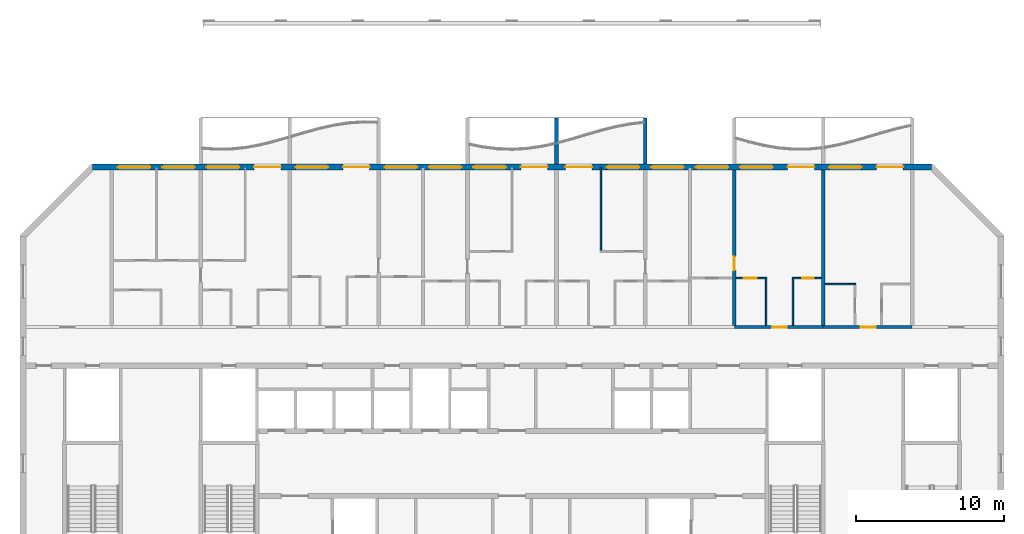
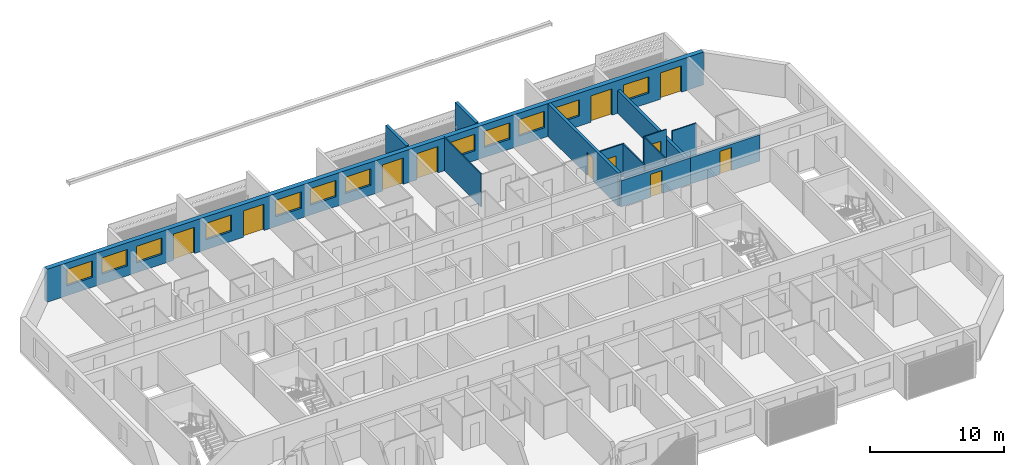
# One storey, part 12 of 20: 13 walls, 12 windows, 11 doors, 23 openings.
"""IFC4 building model written with IfcOpenShell, lengths in metres."""

from ifc_helpers import new_model, si_unit, direction, frame, frame_2d, origin, place, context, subcontext, project, spatial, polyline, rectangle, outline, extrude, source, transform, mapped, material, layer, layer_set, type_object, element, fill, save


model = new_model("IFC4")

# Units and contexts
model_context = context("Model", 3, precision=1e-05, world=origin(), true_north=direction((0.0, 1.0)))
body_context = subcontext(model_context, "Body", "Model", "MODEL_VIEW")
ifc_project = project(units=[si_unit("LENGTHUNIT", "METRE"), si_unit("AREAUNIT", "SQUARE_METRE"), si_unit("VOLUMEUNIT", "CUBIC_METRE"), si_unit("PLANEANGLEUNIT", "RADIAN"), si_unit("MASSUNIT", "GRAM", prefix="KILO")], contexts=[model_context])

# Site, building, storey
site_placement = place(None, origin())
site = spatial("IfcSite", under=ifc_project, at=site_placement, CompositionType="ELEMENT")
building_placement = place(site_placement, origin())
building = spatial("IfcBuilding", under=site, at=building_placement, Name="Poui Terraces", CompositionType="ELEMENT")
storey_placement = place(building_placement, frame((0.0, 0.0, 257.699951171875)))
storey = spatial("IfcBuildingStorey", under=building, at=storey_placement, Name="L72", CompositionType="ELEMENT", Elevation=257.699951171875)

# Wall, opening, door
ifc_material_1 = material(Name="Concrete 50 MPa", Category="concrete")
ifc_layer_1 = layer(ifc_material_1, 0.199951171875)
ifc_layer_set_1 = layer_set([ifc_layer_1], Name="Concrete 50 MPa")
wall_type_1 = type_object("IfcWallType", Name="CORRIDOR WALL 200 50MPa", PredefinedType="SHEAR", material=ifc_layer_set_1)
wall_1_placement = place(storey_placement, frame((66.0, 30.39990234375, 0.0), z_axis=(0.0, 0.0, 1.0), x_axis=(1.0, 0.0, 0.0)))
wall_1 = element("IfcWall", 1, at=wall_1_placement, inside=storey, type_object=wall_type_1, Name="CORRIDOR WALL LINE E BAY 9", PredefinedType="SHEAR", context=body_context, shape_type="SweptSolid", body=[
    extrude(rectangle(XDim=6.0, YDim=0.199951171875, at=frame_2d((3.0, 0.0))), origin(), (0.0, 0.0, 1.0), 2.400146484375),
])
opening_1_placement = place(wall_1_placement, frame((2.550048828125, 0.0, 0.0)))
opening_1 = element("IfcOpeningElement", 2, at=opening_1_placement, cuts=wall_1, Name="Opening FD30S", PredefinedType="OPENING", context=body_context, shape_type="SweptSolid", body=[
    extrude(rectangle(XDim=1.0, YDim=2.10009765625, at=frame_2d((0.5, 1.050048828125))), frame((0.0, 0.10986328125, 0.0), z_axis=(0.0, -1.0, 0.0), x_axis=(1.0, 0.0, 0.0)), (0.0, 0.0, 1.0), 0.219970703125),
])
ifc_material_2 = material(Name="Steel fire door", Category="steel")
door_type_1 = type_object("IfcDoorType", Name="FLAT ENTRANCE DOOR 1000 X 2100", OperationType="NOTDEFINED", PredefinedType="DOOR", material=ifc_material_2)
door_1_placement = place(opening_1_placement, origin())
door_1 = element("IfcDoor", 3, at=door_1_placement, inside=storey, type_object=door_type_1, Name="FLAT ENTRANCE DOOR 055", OperationType="SINGLE_SWING_RIGHT", OverallHeight=2.10009765625, OverallWidth=1.0, PredefinedType="DOOR", context=body_context, shape_type="SweptSolid", body=[
    extrude(rectangle(XDim=1.0, YDim=2.10009765625, at=frame_2d((0.5, 1.050048828125))), frame((0.0, 0.02490234375, 0.0), z_axis=(0.0, -1.0, 0.0), x_axis=(1.0, 0.0, 0.0)), (0.0, 0.0, 1.0), 0.050048828125),
])
fill(opening_1, door_1)

wall_2_placement = place(storey_placement, frame((72.0, 30.39990234375, 0.0), z_axis=(0.0, 0.0, 1.0), x_axis=(1.0, 0.0, 0.0)))
wall_2 = element("IfcWall", 4, at=wall_2_placement, inside=storey, type_object=wall_type_1, Name="CORRIDOR WALL LINE E BAY 10", PredefinedType="SHEAR", context=body_context, shape_type="SweptSolid", body=[
    extrude(rectangle(XDim=6.0, YDim=0.199951171875, at=frame_2d((3.0, 0.0))), origin(), (0.0, 0.0, 1.0), 2.400146484375),
])
opening_2_placement = place(wall_2_placement, frame((2.550048828125, 0.0, 0.0)))
opening_2 = element("IfcOpeningElement", 5, at=opening_2_placement, cuts=wall_2, Name="Opening FD30S", PredefinedType="OPENING", context=body_context, shape_type="SweptSolid", body=[
    extrude(rectangle(XDim=1.0, YDim=2.10009765625, at=frame_2d((0.5, 1.050048828125))), frame((0.0, 0.10986328125, 0.0), z_axis=(0.0, -1.0, 0.0), x_axis=(1.0, 0.0, 0.0)), (0.0, 0.0, 1.0), 0.219970703125),
])
door_2_placement = place(opening_2_placement, origin())
door_2 = element("IfcDoor", 6, at=door_2_placement, inside=storey, type_object=door_type_1, Name="FLAT ENTRANCE DOOR 058", OperationType="SINGLE_SWING_RIGHT", OverallHeight=2.10009765625, OverallWidth=1.0, PredefinedType="DOOR", context=body_context, shape_type="SweptSolid", body=[
    extrude(rectangle(XDim=1.0, YDim=2.10009765625, at=frame_2d((0.5, 1.050048828125))), frame((0.0, 0.02490234375, 0.0), z_axis=(0.0, -1.0, 0.0), x_axis=(1.0, 0.0, 0.0)), (0.0, 0.0, 1.0), 0.050048828125),
])
fill(opening_2, door_2)

ifc_layer_2 = layer(ifc_material_1, 0.25)
ifc_layer_set_2 = layer_set([ifc_layer_2], Name="Concrete 50 MPa")
wall_type_2 = type_object("IfcWallType", Name="CROSS WALL 250 50MPa", PredefinedType="SHEAR", material=ifc_layer_set_2)
wall_3_placement = place(storey_placement, frame((66.0, 30.5, 0.0), z_axis=(0.0, 0.0, 1.0), x_axis=(0.0, 1.0, 0.0)))
wall_3 = element("IfcWall", 7, at=wall_3_placement, inside=storey, type_object=wall_type_2, Name="CROSS WALL LINE 12 NORTH", PredefinedType="SHEAR", context=body_context, shape_type="SweptSolid", body=[
    extrude(rectangle(XDim=10.5, YDim=0.25, at=frame_2d((5.25, 0.0))), origin(), (0.0, 0.0, 1.0), 3.0),
])
opening_3_placement = place(wall_3_placement, frame((3.75, 0.0, 0.0)))
opening_3 = element("IfcOpeningElement", 8, at=opening_3_placement, cuts=wall_3, Name="Opening D90", PredefinedType="OPENING", context=body_context, shape_type="SweptSolid", body=[
    extrude(rectangle(XDim=0.89990234375, YDim=2.10009765625, at=frame_2d((0.449951171875, 1.050048828125))), frame((0.0, 0.135009765625, 0.0), z_axis=(0.0, -1.0, 0.0), x_axis=(1.0, 0.0, 0.0)), (0.0, 0.0, 1.0), 0.27001953125),
])
ifc_material_3 = material(Name="Solid core timber door", Category="wood")
door_type_2 = type_object("IfcDoorType", Name="INTERNAL DOOR 900 X 2100", OperationType="NOTDEFINED", PredefinedType="DOOR", material=ifc_material_3)
door_3_placement = place(opening_3_placement, origin())
door_3 = element("IfcDoor", 9, at=door_3_placement, inside=storey, type_object=door_type_2, Name="INTERNAL DOOR 053", OperationType="SINGLE_SWING_LEFT", OverallHeight=2.10009765625, OverallWidth=0.89990234375, PredefinedType="DOOR", context=body_context, shape_type="SweptSolid", body=[
    extrude(rectangle(XDim=0.89990234375, YDim=2.10009765625, at=frame_2d((0.449951171875, 1.050048828125))), frame((0.0, 0.02490234375, 0.0), z_axis=(0.0, -1.0, 0.0), x_axis=(1.0, 0.0, 0.0)), (0.0, 0.0, 1.0), 0.050048828125),
])
fill(opening_3, door_3)

# Wall
ifc_layer_3 = layer(ifc_material_1, 0.25)
ifc_layer_set_3 = layer_set([ifc_layer_3], Name="Concrete 50 MPa")
wall_type_3 = type_object("IfcWallType", Name="CROSS WALL UNDER WALL BEAM 250 50MPa", PredefinedType="SHEAR", material=ifc_layer_set_3)
wall_4_placement = place(storey_placement, frame((72.0, 30.5, 0.0), z_axis=(0.0, 0.0, 1.0), x_axis=(0.0, 1.0, 0.0)))
element("IfcWall", 10, at=wall_4_placement, inside=storey, type_object=wall_type_3, Name="CROSS WALL LINE 13 NORTH", PredefinedType="SHEAR", context=body_context, shape_type="SweptSolid", body=[
    extrude(rectangle(XDim=10.5, YDim=0.25, at=frame_2d((5.25, 0.0))), origin(), (0.0, 0.0, 1.0), 2.10009765625),
])

# Wall, openings, doors, windows
ifc_material_4 = material(Name="Precast concrete 40 MPa", Category="concrete")
ifc_layer_4 = layer(ifc_material_4, 0.39990234375)
ifc_layer_set_4 = layer_set([ifc_layer_4], Name="Precast concrete 40 MPa")
wall_type_4 = type_object("IfcWallType", Name="EXTERNAL WALL 400", PredefinedType="STANDARD", material=ifc_layer_set_4)
wall_5_placement = place(storey_placement, frame((79.317138671875, 41.199951171875, 0.0), z_axis=(0.0, 0.0, 1.0), x_axis=(-1.0, 0.0, 0.0)))
wall_5 = element("IfcWall", 11, at=wall_5_placement, inside=storey, type_object=wall_type_4, Name="EXTERNAL WALL N", PredefinedType="STANDARD", context=body_context, shape_type="SweptSolid", body=[
    extrude(rectangle(XDim=56.63427734375, YDim=0.39990234375, at=frame_2d((28.317138671875, 0.0))), origin(), (0.0, 0.0, 1.0), 3.0),
])
opening_4_placement = place(wall_5_placement, frame((52.71728515625, 0.0, 0.89990234375)))
opening_4 = element("IfcOpeningElement", 12, at=opening_4_placement, cuts=wall_5, Name="Opening W1", PredefinedType="OPENING", context=body_context, shape_type="SweptSolid", body=[
    extrude(rectangle(XDim=2.199951171875, YDim=1.5, at=frame_2d((1.10009765625, 0.75))), frame((0.0, 0.2099609375, 0.0), z_axis=(0.0, -1.0, 0.0), x_axis=(1.0, 0.0, 0.0)), (0.0, 0.0, 1.0), 0.419921875),
])
opening_5_placement = place(wall_5_placement, frame((49.71728515625, 0.0, 0.89990234375)))
opening_5 = element("IfcOpeningElement", 13, at=opening_5_placement, cuts=wall_5, Name="Opening W1", PredefinedType="OPENING", context=body_context, shape_type="SweptSolid", body=[
    extrude(rectangle(XDim=2.199951171875, YDim=1.5, at=frame_2d((1.10009765625, 0.75))), frame((0.0, 0.2099609375, 0.0), z_axis=(0.0, -1.0, 0.0), x_axis=(1.0, 0.0, 0.0)), (0.0, 0.0, 1.0), 0.419921875),
])
opening_6_placement = place(wall_5_placement, frame((46.71728515625, 0.0, 0.89990234375)))
opening_6 = element("IfcOpeningElement", 14, at=opening_6_placement, cuts=wall_5, Name="Opening W1", PredefinedType="OPENING", context=body_context, shape_type="SweptSolid", body=[
    extrude(rectangle(XDim=2.199951171875, YDim=1.5, at=frame_2d((1.10009765625, 0.75))), frame((0.0, 0.2099609375, 0.0), z_axis=(0.0, -1.0, 0.0), x_axis=(1.0, 0.0, 0.0)), (0.0, 0.0, 1.0), 0.419921875),
])
opening_7_placement = place(wall_5_placement, frame((43.917236328125, 0.0, 0.0)))
opening_7 = element("IfcOpeningElement", 15, at=opening_7_placement, cuts=wall_5, Name="Opening BD1", PredefinedType="OPENING", context=body_context, shape_type="SweptSolid", body=[
    extrude(rectangle(XDim=1.800048828125, YDim=2.39990234375, at=frame_2d((0.89990234375, 1.199951171875))), frame((0.0, 0.2099609375, 0.0), z_axis=(0.0, -1.0, 0.0), x_axis=(1.0, 0.0, 0.0)), (0.0, 0.0, 1.0), 0.419921875),
])
opening_8_placement = place(wall_5_placement, frame((40.71728515625, 0.0, 0.89990234375)))
opening_8 = element("IfcOpeningElement", 16, at=opening_8_placement, cuts=wall_5, Name="Opening W1", PredefinedType="OPENING", context=body_context, shape_type="SweptSolid", body=[
    extrude(rectangle(XDim=2.199951171875, YDim=1.5, at=frame_2d((1.10009765625, 0.75))), frame((0.0, 0.2099609375, 0.0), z_axis=(0.0, -1.0, 0.0), x_axis=(1.0, 0.0, 0.0)), (0.0, 0.0, 1.0), 0.419921875),
])
opening_9_placement = place(wall_5_placement, frame((37.917236328125, 0.0, 0.0)))
opening_9 = element("IfcOpeningElement", 17, at=opening_9_placement, cuts=wall_5, Name="Opening BD1", PredefinedType="OPENING", context=body_context, shape_type="SweptSolid", body=[
    extrude(rectangle(XDim=1.800048828125, YDim=2.39990234375, at=frame_2d((0.89990234375, 1.199951171875))), frame((0.0, 0.2099609375, 0.0), z_axis=(0.0, -1.0, 0.0), x_axis=(1.0, 0.0, 0.0)), (0.0, 0.0, 1.0), 0.419921875),
])
opening_10_placement = place(wall_5_placement, frame((34.71728515625, 0.0, 0.89990234375)))
opening_10 = element("IfcOpeningElement", 18, at=opening_10_placement, cuts=wall_5, Name="Opening W1", PredefinedType="OPENING", context=body_context, shape_type="SweptSolid", body=[
    extrude(rectangle(XDim=2.199951171875, YDim=1.5, at=frame_2d((1.10009765625, 0.75))), frame((0.0, 0.2099609375, 0.0), z_axis=(0.0, -1.0, 0.0), x_axis=(1.0, 0.0, 0.0)), (0.0, 0.0, 1.0), 0.419921875),
])
opening_11_placement = place(wall_5_placement, frame((31.71728515625, 0.0, 0.89990234375)))
opening_11 = element("IfcOpeningElement", 19, at=opening_11_placement, cuts=wall_5, Name="Opening W1", PredefinedType="OPENING", context=body_context, shape_type="SweptSolid", body=[
    extrude(rectangle(XDim=2.199951171875, YDim=1.5, at=frame_2d((1.10009765625, 0.75))), frame((0.0, 0.2099609375, 0.0), z_axis=(0.0, -1.0, 0.0), x_axis=(1.0, 0.0, 0.0)), (0.0, 0.0, 1.0), 0.419921875),
])
opening_12_placement = place(wall_5_placement, frame((28.71728515625, 0.0, 0.89990234375)))
opening_12 = element("IfcOpeningElement", 20, at=opening_12_placement, cuts=wall_5, Name="Opening W1", PredefinedType="OPENING", context=body_context, shape_type="SweptSolid", body=[
    extrude(rectangle(XDim=2.199951171875, YDim=1.5, at=frame_2d((1.10009765625, 0.75))), frame((0.0, 0.2099609375, 0.0), z_axis=(0.0, -1.0, 0.0), x_axis=(1.0, 0.0, 0.0)), (0.0, 0.0, 1.0), 0.419921875),
])
opening_13_placement = place(wall_5_placement, frame((25.917236328125, 0.0, 0.0)))
opening_13 = element("IfcOpeningElement", 21, at=opening_13_placement, cuts=wall_5, Name="Opening BD1", PredefinedType="OPENING", context=body_context, shape_type="SweptSolid", body=[
    extrude(rectangle(XDim=1.800048828125, YDim=2.39990234375, at=frame_2d((0.89990234375, 1.199951171875))), frame((0.0, 0.2099609375, 0.0), z_axis=(0.0, -1.0, 0.0), x_axis=(1.0, 0.0, 0.0)), (0.0, 0.0, 1.0), 0.419921875),
])
opening_14_placement = place(wall_5_placement, frame((22.917236328125, 0.0, 0.0)))
opening_14 = element("IfcOpeningElement", 22, at=opening_14_placement, cuts=wall_5, Name="Opening BD1", PredefinedType="OPENING", context=body_context, shape_type="SweptSolid", body=[
    extrude(rectangle(XDim=1.800048828125, YDim=2.39990234375, at=frame_2d((0.89990234375, 1.199951171875))), frame((0.0, 0.2099609375, 0.0), z_axis=(0.0, -1.0, 0.0), x_axis=(1.0, 0.0, 0.0)), (0.0, 0.0, 1.0), 0.419921875),
])
opening_15_placement = place(wall_5_placement, frame((19.71728515625, 0.0, 0.89990234375)))
opening_15 = element("IfcOpeningElement", 23, at=opening_15_placement, cuts=wall_5, Name="Opening W1", PredefinedType="OPENING", context=body_context, shape_type="SweptSolid", body=[
    extrude(rectangle(XDim=2.199951171875, YDim=1.5, at=frame_2d((1.10009765625, 0.75))), frame((0.0, 0.2099609375, 0.0), z_axis=(0.0, -1.0, 0.0), x_axis=(1.0, 0.0, 0.0)), (0.0, 0.0, 1.0), 0.419921875),
])
opening_16_placement = place(wall_5_placement, frame((16.71728515625, 0.0, 0.89990234375)))
opening_16 = element("IfcOpeningElement", 24, at=opening_16_placement, cuts=wall_5, Name="Opening W1", PredefinedType="OPENING", context=body_context, shape_type="SweptSolid", body=[
    extrude(rectangle(XDim=2.199951171875, YDim=1.5, at=frame_2d((1.10009765625, 0.75))), frame((0.0, 0.2099609375, 0.0), z_axis=(0.0, -1.0, 0.0), x_axis=(1.0, 0.0, 0.0)), (0.0, 0.0, 1.0), 0.419921875),
])
opening_17_placement = place(wall_5_placement, frame((13.71728515625, 0.0, 0.89990234375)))
opening_17 = element("IfcOpeningElement", 25, at=opening_17_placement, cuts=wall_5, Name="Opening W1", PredefinedType="OPENING", context=body_context, shape_type="SweptSolid", body=[
    extrude(rectangle(XDim=2.199951171875, YDim=1.5, at=frame_2d((1.10009765625, 0.75))), frame((0.0, 0.2099609375, 0.0), z_axis=(0.0, -1.0, 0.0), x_axis=(1.0, 0.0, 0.0)), (0.0, 0.0, 1.0), 0.419921875),
])
opening_18_placement = place(wall_5_placement, frame((10.71728515625, 0.0, 0.89990234375)))
opening_18 = element("IfcOpeningElement", 26, at=opening_18_placement, cuts=wall_5, Name="Opening W1", PredefinedType="OPENING", context=body_context, shape_type="SweptSolid", body=[
    extrude(rectangle(XDim=2.199951171875, YDim=1.5, at=frame_2d((1.10009765625, 0.75))), frame((0.0, 0.2099609375, 0.0), z_axis=(0.0, -1.0, 0.0), x_axis=(1.0, 0.0, 0.0)), (0.0, 0.0, 1.0), 0.419921875),
])
opening_19_placement = place(wall_5_placement, frame((7.917236328125, 0.0, 0.0)))
opening_19 = element("IfcOpeningElement", 27, at=opening_19_placement, cuts=wall_5, Name="Opening BD1", PredefinedType="OPENING", context=body_context, shape_type="SweptSolid", body=[
    extrude(rectangle(XDim=1.800048828125, YDim=2.39990234375, at=frame_2d((0.89990234375, 1.199951171875))), frame((0.0, 0.2099609375, 0.0), z_axis=(0.0, -1.0, 0.0), x_axis=(1.0, 0.0, 0.0)), (0.0, 0.0, 1.0), 0.419921875),
])
opening_20_placement = place(wall_5_placement, frame((4.71728515625, 0.0, 0.89990234375)))
opening_20 = element("IfcOpeningElement", 28, at=opening_20_placement, cuts=wall_5, Name="Opening W1", PredefinedType="OPENING", context=body_context, shape_type="SweptSolid", body=[
    extrude(rectangle(XDim=2.199951171875, YDim=1.5, at=frame_2d((1.10009765625, 0.75))), frame((0.0, 0.2099609375, 0.0), z_axis=(0.0, -1.0, 0.0), x_axis=(1.0, 0.0, 0.0)), (0.0, 0.0, 1.0), 0.419921875),
])
opening_21_placement = place(wall_5_placement, frame((1.917236328125, 0.0, 0.0)))
opening_21 = element("IfcOpeningElement", 29, at=opening_21_placement, cuts=wall_5, Name="Opening BD1", PredefinedType="OPENING", context=body_context, shape_type="SweptSolid", body=[
    extrude(rectangle(XDim=1.800048828125, YDim=2.39990234375, at=frame_2d((0.89990234375, 1.199951171875))), frame((0.0, 0.2099609375, 0.0), z_axis=(0.0, -1.0, 0.0), x_axis=(1.0, 0.0, 0.0)), (0.0, 0.0, 1.0), 0.419921875),
])
ifc_material_5 = material(Name="Clear glass in aluminium frame", Category="aluminium")
door_type_3 = type_object("IfcDoorType", Name="BALCONY DOOR 1800X2400", OperationType="DOUBLE_DOOR_SLIDING", PredefinedType="DOOR", material=ifc_material_5)
door_4_placement = place(opening_7_placement, origin())
door_4 = element("IfcDoor", 30, at=door_4_placement, inside=storey, type_object=door_type_3, Name="BD1 BALCONY DOOR", OperationType="DOUBLE_DOOR_SLIDING", OverallHeight=2.39990234375, OverallWidth=1.800048828125, PredefinedType="DOOR", context=body_context, shape_type="SweptSolid", body=[
    extrude(rectangle(XDim=1.800048828125, YDim=2.39990234375, at=frame_2d((0.89990234375, 1.199951171875))), frame((0.0, 0.02490234375, 0.0), z_axis=(0.0, -1.0, 0.0), x_axis=(1.0, 0.0, 0.0)), (0.0, 0.0, 1.0), 0.050048828125),
])
fill(opening_7, door_4)
door_5_placement = place(opening_9_placement, origin())
door_5 = element("IfcDoor", 31, at=door_5_placement, inside=storey, type_object=door_type_3, Name="BD1 BALCONY DOOR", OperationType="DOUBLE_DOOR_SLIDING", OverallHeight=2.39990234375, OverallWidth=1.800048828125, PredefinedType="DOOR", context=body_context, shape_type="SweptSolid", body=[
    extrude(rectangle(XDim=1.800048828125, YDim=2.39990234375, at=frame_2d((0.89990234375, 1.199951171875))), frame((0.0, 0.02490234375, 0.0), z_axis=(0.0, -1.0, 0.0), x_axis=(1.0, 0.0, 0.0)), (0.0, 0.0, 1.0), 0.050048828125),
])
fill(opening_9, door_5)
door_6_placement = place(opening_13_placement, origin())
door_6 = element("IfcDoor", 32, at=door_6_placement, inside=storey, type_object=door_type_3, Name="BD1 BALCONY DOOR", OperationType="DOUBLE_DOOR_SLIDING", OverallHeight=2.39990234375, OverallWidth=1.800048828125, PredefinedType="DOOR", context=body_context, shape_type="SweptSolid", body=[
    extrude(rectangle(XDim=1.800048828125, YDim=2.39990234375, at=frame_2d((0.89990234375, 1.199951171875))), frame((0.0, 0.02490234375, 0.0), z_axis=(0.0, -1.0, 0.0), x_axis=(1.0, 0.0, 0.0)), (0.0, 0.0, 1.0), 0.050048828125),
])
fill(opening_13, door_6)
door_7_placement = place(opening_14_placement, origin())
door_7 = element("IfcDoor", 33, at=door_7_placement, inside=storey, type_object=door_type_3, Name="BD1 BALCONY DOOR", OperationType="DOUBLE_DOOR_SLIDING", OverallHeight=2.39990234375, OverallWidth=1.800048828125, PredefinedType="DOOR", context=body_context, shape_type="SweptSolid", body=[
    extrude(rectangle(XDim=1.800048828125, YDim=2.39990234375, at=frame_2d((0.89990234375, 1.199951171875))), frame((0.0, 0.02490234375, 0.0), z_axis=(0.0, -1.0, 0.0), x_axis=(1.0, 0.0, 0.0)), (0.0, 0.0, 1.0), 0.050048828125),
])
fill(opening_14, door_7)
door_8_placement = place(opening_19_placement, origin())
door_8 = element("IfcDoor", 34, at=door_8_placement, inside=storey, type_object=door_type_3, Name="BD1 BALCONY DOOR", OperationType="DOUBLE_DOOR_SLIDING", OverallHeight=2.39990234375, OverallWidth=1.800048828125, PredefinedType="DOOR", context=body_context, shape_type="SweptSolid", body=[
    extrude(rectangle(XDim=1.800048828125, YDim=2.39990234375, at=frame_2d((0.89990234375, 1.199951171875))), frame((0.0, 0.02490234375, 0.0), z_axis=(0.0, -1.0, 0.0), x_axis=(1.0, 0.0, 0.0)), (0.0, 0.0, 1.0), 0.050048828125),
])
fill(opening_19, door_8)
door_9_placement = place(opening_21_placement, origin())
door_9 = element("IfcDoor", 35, at=door_9_placement, inside=storey, type_object=door_type_3, Name="BD1 BALCONY DOOR", OperationType="DOUBLE_DOOR_SLIDING", OverallHeight=2.39990234375, OverallWidth=1.800048828125, PredefinedType="DOOR", context=body_context, shape_type="SweptSolid", body=[
    extrude(rectangle(XDim=1.800048828125, YDim=2.39990234375, at=frame_2d((0.89990234375, 1.199951171875))), frame((0.0, 0.02490234375, 0.0), z_axis=(0.0, -1.0, 0.0), x_axis=(1.0, 0.0, 0.0)), (0.0, 0.0, 1.0), 0.050048828125),
])
fill(opening_21, door_9)
window_type = type_object("IfcWindowType", Name="WINDOW 2200X1500", PartitioningType="DOUBLE_PANEL_HORIZONTAL", PredefinedType="WINDOW", material=ifc_material_5)
window_1_placement = place(opening_4_placement, origin())
window_1 = element("IfcWindow", 36, at=window_1_placement, inside=storey, type_object=window_type, Name="W1 WINDOW", OverallHeight=1.5, OverallWidth=2.199951171875, PartitioningType="DOUBLE_PANEL_HORIZONTAL", PredefinedType="WINDOW", context=body_context, shape_type="SweptSolid", body=[
    extrude(rectangle(XDim=2.199951171875, YDim=1.5, at=frame_2d((1.10009765625, 0.75))), frame((0.0, 0.030029296875, 0.0), z_axis=(0.0, -1.0, 0.0), x_axis=(1.0, 0.0, 0.0)), (0.0, 0.0, 1.0), 0.06005859375),
])
fill(opening_4, window_1)
window_2_placement = place(opening_5_placement, origin())
window_2 = element("IfcWindow", 37, at=window_2_placement, inside=storey, type_object=window_type, Name="W1 WINDOW", OverallHeight=1.5, OverallWidth=2.199951171875, PartitioningType="DOUBLE_PANEL_HORIZONTAL", PredefinedType="WINDOW", context=body_context, shape_type="SweptSolid", body=[
    extrude(rectangle(XDim=2.199951171875, YDim=1.5, at=frame_2d((1.10009765625, 0.75))), frame((0.0, 0.030029296875, 0.0), z_axis=(0.0, -1.0, 0.0), x_axis=(1.0, 0.0, 0.0)), (0.0, 0.0, 1.0), 0.06005859375),
])
fill(opening_5, window_2)
window_3_placement = place(opening_6_placement, origin())
window_3 = element("IfcWindow", 38, at=window_3_placement, inside=storey, type_object=window_type, Name="W1 WINDOW", OverallHeight=1.5, OverallWidth=2.199951171875, PartitioningType="DOUBLE_PANEL_HORIZONTAL", PredefinedType="WINDOW", context=body_context, shape_type="SweptSolid", body=[
    extrude(rectangle(XDim=2.199951171875, YDim=1.5, at=frame_2d((1.10009765625, 0.75))), frame((0.0, 0.030029296875, 0.0), z_axis=(0.0, -1.0, 0.0), x_axis=(1.0, 0.0, 0.0)), (0.0, 0.0, 1.0), 0.06005859375),
])
fill(opening_6, window_3)
window_4_placement = place(opening_8_placement, origin())
window_4 = element("IfcWindow", 39, at=window_4_placement, inside=storey, type_object=window_type, Name="W1 WINDOW", OverallHeight=1.5, OverallWidth=2.199951171875, PartitioningType="DOUBLE_PANEL_HORIZONTAL", PredefinedType="WINDOW", context=body_context, shape_type="SweptSolid", body=[
    extrude(rectangle(XDim=2.199951171875, YDim=1.5, at=frame_2d((1.10009765625, 0.75))), frame((0.0, 0.030029296875, 0.0), z_axis=(0.0, -1.0, 0.0), x_axis=(1.0, 0.0, 0.0)), (0.0, 0.0, 1.0), 0.06005859375),
])
fill(opening_8, window_4)
window_5_placement = place(opening_10_placement, origin())
window_5 = element("IfcWindow", 40, at=window_5_placement, inside=storey, type_object=window_type, Name="W1 WINDOW", OverallHeight=1.5, OverallWidth=2.199951171875, PartitioningType="DOUBLE_PANEL_HORIZONTAL", PredefinedType="WINDOW", context=body_context, shape_type="SweptSolid", body=[
    extrude(rectangle(XDim=2.199951171875, YDim=1.5, at=frame_2d((1.10009765625, 0.75))), frame((0.0, 0.030029296875, 0.0), z_axis=(0.0, -1.0, 0.0), x_axis=(1.0, 0.0, 0.0)), (0.0, 0.0, 1.0), 0.06005859375),
])
fill(opening_10, window_5)
window_6_placement = place(opening_11_placement, origin())
window_6 = element("IfcWindow", 41, at=window_6_placement, inside=storey, type_object=window_type, Name="W1 WINDOW", OverallHeight=1.5, OverallWidth=2.199951171875, PartitioningType="DOUBLE_PANEL_HORIZONTAL", PredefinedType="WINDOW", context=body_context, shape_type="SweptSolid", body=[
    extrude(rectangle(XDim=2.199951171875, YDim=1.5, at=frame_2d((1.10009765625, 0.75))), frame((0.0, 0.030029296875, 0.0), z_axis=(0.0, -1.0, 0.0), x_axis=(1.0, 0.0, 0.0)), (0.0, 0.0, 1.0), 0.06005859375),
])
fill(opening_11, window_6)
window_7_placement = place(opening_12_placement, origin())
window_7 = element("IfcWindow", 42, at=window_7_placement, inside=storey, type_object=window_type, Name="W1 WINDOW", OverallHeight=1.5, OverallWidth=2.199951171875, PartitioningType="DOUBLE_PANEL_HORIZONTAL", PredefinedType="WINDOW", context=body_context, shape_type="SweptSolid", body=[
    extrude(rectangle(XDim=2.199951171875, YDim=1.5, at=frame_2d((1.10009765625, 0.75))), frame((0.0, 0.030029296875, 0.0), z_axis=(0.0, -1.0, 0.0), x_axis=(1.0, 0.0, 0.0)), (0.0, 0.0, 1.0), 0.06005859375),
])
fill(opening_12, window_7)
window_8_placement = place(opening_15_placement, origin())
window_8 = element("IfcWindow", 43, at=window_8_placement, inside=storey, type_object=window_type, Name="W1 WINDOW", OverallHeight=1.5, OverallWidth=2.199951171875, PartitioningType="DOUBLE_PANEL_HORIZONTAL", PredefinedType="WINDOW", context=body_context, shape_type="SweptSolid", body=[
    extrude(rectangle(XDim=2.199951171875, YDim=1.5, at=frame_2d((1.10009765625, 0.75))), frame((0.0, 0.030029296875, 0.0), z_axis=(0.0, -1.0, 0.0), x_axis=(1.0, 0.0, 0.0)), (0.0, 0.0, 1.0), 0.06005859375),
])
fill(opening_15, window_8)
window_9_placement = place(opening_16_placement, origin())
window_9 = element("IfcWindow", 44, at=window_9_placement, inside=storey, type_object=window_type, Name="W1 WINDOW", OverallHeight=1.5, OverallWidth=2.199951171875, PartitioningType="DOUBLE_PANEL_HORIZONTAL", PredefinedType="WINDOW", context=body_context, shape_type="SweptSolid", body=[
    extrude(rectangle(XDim=2.199951171875, YDim=1.5, at=frame_2d((1.10009765625, 0.75))), frame((0.0, 0.030029296875, 0.0), z_axis=(0.0, -1.0, 0.0), x_axis=(1.0, 0.0, 0.0)), (0.0, 0.0, 1.0), 0.06005859375),
])
fill(opening_16, window_9)
window_10_placement = place(opening_17_placement, origin())
window_10 = element("IfcWindow", 45, at=window_10_placement, inside=storey, type_object=window_type, Name="W1 WINDOW", OverallHeight=1.5, OverallWidth=2.199951171875, PartitioningType="DOUBLE_PANEL_HORIZONTAL", PredefinedType="WINDOW", context=body_context, shape_type="SweptSolid", body=[
    extrude(rectangle(XDim=2.199951171875, YDim=1.5, at=frame_2d((1.10009765625, 0.75))), frame((0.0, 0.030029296875, 0.0), z_axis=(0.0, -1.0, 0.0), x_axis=(1.0, 0.0, 0.0)), (0.0, 0.0, 1.0), 0.06005859375),
])
fill(opening_17, window_10)
window_11_placement = place(opening_18_placement, origin())
window_11 = element("IfcWindow", 46, at=window_11_placement, inside=storey, type_object=window_type, Name="W1 WINDOW", OverallHeight=1.5, OverallWidth=2.199951171875, PartitioningType="DOUBLE_PANEL_HORIZONTAL", PredefinedType="WINDOW", context=body_context, shape_type="SweptSolid", body=[
    extrude(rectangle(XDim=2.199951171875, YDim=1.5, at=frame_2d((1.10009765625, 0.75))), frame((0.0, 0.030029296875, 0.0), z_axis=(0.0, -1.0, 0.0), x_axis=(1.0, 0.0, 0.0)), (0.0, 0.0, 1.0), 0.06005859375),
])
fill(opening_18, window_11)
window_12_placement = place(opening_20_placement, origin())
window_12 = element("IfcWindow", 47, at=window_12_placement, inside=storey, type_object=window_type, Name="W1 WINDOW", OverallHeight=1.5, OverallWidth=2.199951171875, PartitioningType="DOUBLE_PANEL_HORIZONTAL", PredefinedType="WINDOW", context=body_context, shape_type="SweptSolid", body=[
    extrude(rectangle(XDim=2.199951171875, YDim=1.5, at=frame_2d((1.10009765625, 0.75))), frame((0.0, 0.030029296875, 0.0), z_axis=(0.0, -1.0, 0.0), x_axis=(1.0, 0.0, 0.0)), (0.0, 0.0, 1.0), 0.06005859375),
])
fill(opening_20, window_12)

# Wall
ifc_material_6 = material(Name="Plasterboard partition")
ifc_layer_5 = layer(ifc_material_6, 0.10009765625)
ifc_layer_set_5 = layer_set([ifc_layer_5], Name="Plasterboard partition")
wall_type_5 = type_object("IfcWallType", Name="FLAT PARTITION 100", PredefinedType="PARTITIONING", material=ifc_layer_set_5)
wall_6_placement = place(storey_placement, frame((72.135009765625, 33.300048828125, 0.0), z_axis=(0.0, 0.0, 1.0), x_axis=(1.0, 0.0, 0.0)))
element("IfcWall", 48, at=wall_6_placement, inside=storey, type_object=wall_type_5, Name="FLAT PARTITION 100", PredefinedType="PARTITIONING", context=body_context, shape_type="SweptSolid", body=[
    extrude(rectangle(XDim=2.06494140625, YDim=0.10009765625, at=frame_2d((1.032470703125, 0.0))), origin(), (0.0, 0.0, 1.0), 3.0),
])

# Wall, opening, door
wall_7_placement = place(storey_placement, frame((66.135009765625, 33.699951171875, 0.0), z_axis=(0.0, 0.0, 1.0), x_axis=(1.0, 0.0, 0.0)))
wall_7 = element("IfcWall", 49, at=wall_7_placement, inside=storey, type_object=wall_type_5, Name="FLAT PARTITION 100", PredefinedType="PARTITIONING", context=body_context, shape_type="SweptSolid", body=[
    extrude(rectangle(XDim=2.06494140625, YDim=0.10009765625, at=frame_2d((1.032470703125, 0.0))), origin(), (0.0, 0.0, 1.0), 3.0),
])
opening_22_placement = place(wall_7_placement, frame((0.489990234375, 0.0, 0.0)))
opening_22 = element("IfcOpeningElement", 50, at=opening_22_placement, cuts=wall_7, Name="Opening D90", PredefinedType="OPENING", context=body_context, shape_type="SweptSolid", body=[
    extrude(rectangle(XDim=0.89990234375, YDim=2.10009765625, at=frame_2d((0.449951171875, 1.050048828125))), frame((0.0, 0.06005859375, 0.0), z_axis=(0.0, -1.0, 0.0), x_axis=(1.0, 0.0, 0.0)), (0.0, 0.0, 1.0), 0.1201171875),
])
door_10_placement = place(opening_22_placement, frame((0.89990234375, 0.0, 0.0), z_axis=(0.0, 0.0, 1.0), x_axis=(-1.0, 0.0, 0.0)))
door_10 = element("IfcDoor", 51, at=door_10_placement, inside=storey, type_object=door_type_2, Name="INTERNAL DOOR 054", OperationType="SINGLE_SWING_RIGHT", OverallHeight=2.10009765625, OverallWidth=0.89990234375, PredefinedType="DOOR", context=body_context, shape_type="SweptSolid", body=[
    extrude(rectangle(XDim=0.89990234375, YDim=2.10009765625, at=frame_2d((0.449951171875, 1.050048828125))), frame((0.0, 0.02490234375, 0.0), z_axis=(0.0, -1.0, 0.0), x_axis=(1.0, 0.0, 0.0)), (0.0, 0.0, 1.0), 0.050048828125),
])
fill(opening_22, door_10)

wall_8_placement = place(storey_placement, frame((69.89990234375, 33.699951171875, 0.0), z_axis=(0.0, 0.0, 1.0), x_axis=(1.0, 0.0, 0.0)))
wall_8 = element("IfcWall", 52, at=wall_8_placement, inside=storey, type_object=wall_type_5, Name="FLAT PARTITION 100", PredefinedType="PARTITIONING", context=body_context, shape_type="SweptSolid", body=[
    extrude(rectangle(XDim=1.965087890625, YDim=0.10009765625, at=frame_2d((0.982421875, 0.0))), origin(), (0.0, 0.0, 1.0), 3.0),
])
opening_23_placement = place(wall_8_placement, frame((0.675048828125, 0.0, 0.0)))
opening_23 = element("IfcOpeningElement", 53, at=opening_23_placement, cuts=wall_8, Name="Opening D80", PredefinedType="OPENING", context=body_context, shape_type="SweptSolid", body=[
    extrude(rectangle(XDim=0.800048828125, YDim=2.10009765625, at=frame_2d((0.39990234375, 1.050048828125))), frame((0.0, 0.06005859375, 0.0), z_axis=(0.0, -1.0, 0.0), x_axis=(1.0, 0.0, 0.0)), (0.0, 0.0, 1.0), 0.1201171875),
])
door_type_4 = type_object("IfcDoorType", Name="BATHROOM, LAUNDRY AND STORE DOOR 800 X 2100", OperationType="NOTDEFINED", PredefinedType="DOOR", material=ifc_material_3)
door_11_placement = place(opening_23_placement, frame((0.800048828125, 0.0, 0.0), z_axis=(0.0, 0.0, 1.0), x_axis=(-1.0, 0.0, 0.0)))
door_11 = element("IfcDoor", 54, at=door_11_placement, inside=storey, type_object=door_type_4, Name="BATHROOM, LAUNDRY AND STORE DOOR 056", OperationType="SINGLE_SWING_LEFT", OverallHeight=2.10009765625, OverallWidth=0.800048828125, PredefinedType="DOOR", context=body_context, shape_type="SweptSolid", body=[
    extrude(rectangle(XDim=0.800048828125, YDim=2.10009765625, at=frame_2d((0.39990234375, 1.050048828125))), frame((0.0, 0.02490234375, 0.0), z_axis=(0.0, -1.0, 0.0), x_axis=(1.0, 0.0, 0.0)), (0.0, 0.0, 1.0), 0.050048828125),
])
fill(opening_23, door_11)

# Walls
wall_9_placement = place(storey_placement, frame((57.0, 35.550048828125, 0.0), z_axis=(0.0, 0.0, 1.0), x_axis=(0.0, 1.0, 0.0)))
element("IfcWall", 55, at=wall_9_placement, inside=storey, type_object=wall_type_5, Name="FLAT PARTITION 100", PredefinedType="PARTITIONING", context=body_context, shape_type="SweptSolid", body=[
    extrude(rectangle(XDim=5.58984375, YDim=0.10009765625, at=frame_2d((2.794921875, 0.0))), origin(), (0.0, 0.0, 1.0), 3.0),
])
for number, where, z_axis, x_axis, name in (
    (56, (68.14990234375, 30.510009765625, 0.0), (0.0, 0.0, 1.0), (0.0, 1.0, 0.0), "FLAT PARTITION 100"),
    (57, (69.949951171875, 30.510009765625, 0.0), (0.0, 0.0, 1.0), (0.0, 1.0, 0.0), "FLAT PARTITION 100"),
):
    element("IfcWall", number, at=place(storey_placement, frame(where, z_axis=z_axis, x_axis=x_axis)), inside=storey, type_object=wall_type_5, Name=name, PredefinedType="PARTITIONING", context=body_context, shape_type="SweptSolid", body=[
        extrude(rectangle(XDim=3.139892578125, YDim=0.10009765625, at=frame_2d((1.56982421875, 0.0))), origin(), (0.0, 0.0, 1.0), 3.0),
    ])
ifc_layer_6 = layer(ifc_material_4, 0.25)
ifc_layer_set_6 = layer_set([ifc_layer_6], Name="Precast concrete 40 MPa")
wall_type_6 = type_object("IfcWallType", Name="BALCONY FIN 250", PredefinedType="STANDARD", material=ifc_layer_set_6)
shared_shape = source(origin(), body_context, "Body", "SweptSolid", [
    extrude(outline(polyline([(0.0, 0.0), (0.25, 0.0), (0.25, 3.10009765625), (0.0, 3.10009765625), (0.0, 0.0)])), origin(), (0.0, 0.0, 1.0), 3.10009765625),
])
for number, where, name in (
    (58, (53.875, 41.39990234375, 0.0), "BALCONY FIN"),
    (59, (59.875, 41.39990234375, 0.0), "BALCONY FIN"),
):
    element("IfcWall", number, at=place(storey_placement, frame(where)), inside=storey, type_object=wall_type_6, Name=name, PredefinedType="STANDARD", context=body_context, shape_type="MappedRepresentation", body=[
        mapped(shared_shape, transform((0.0, 0.0, 0.0))),
    ])

save(model, "model.ifc")
